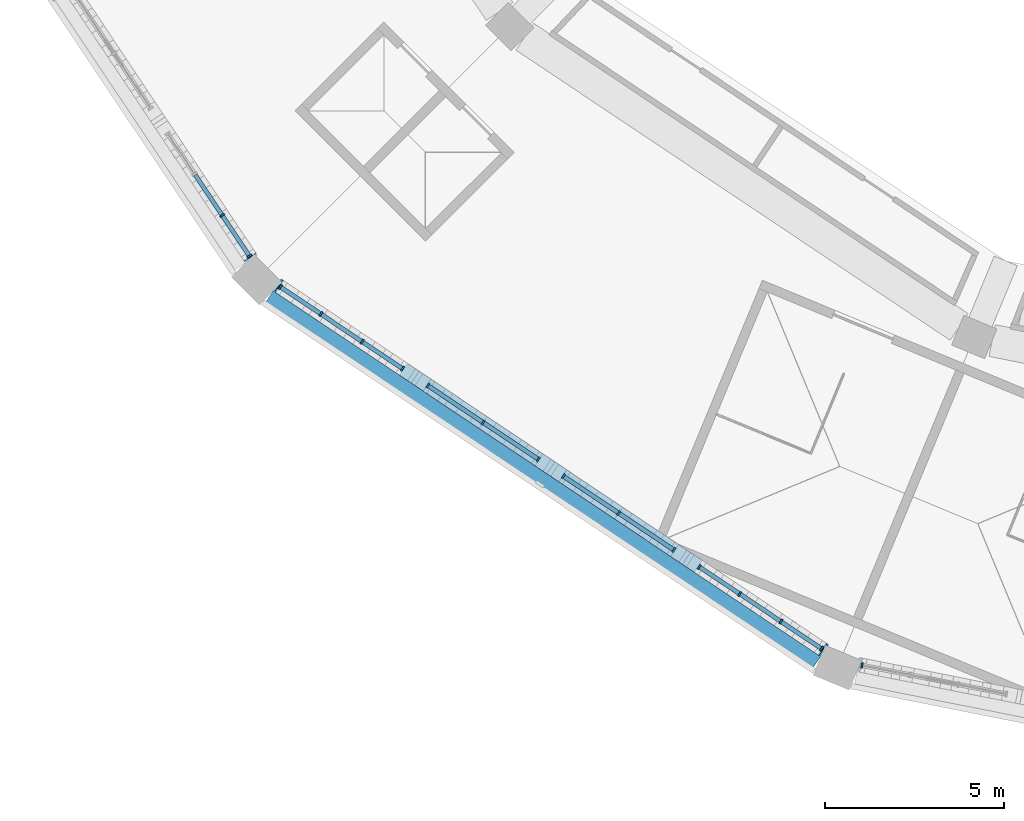
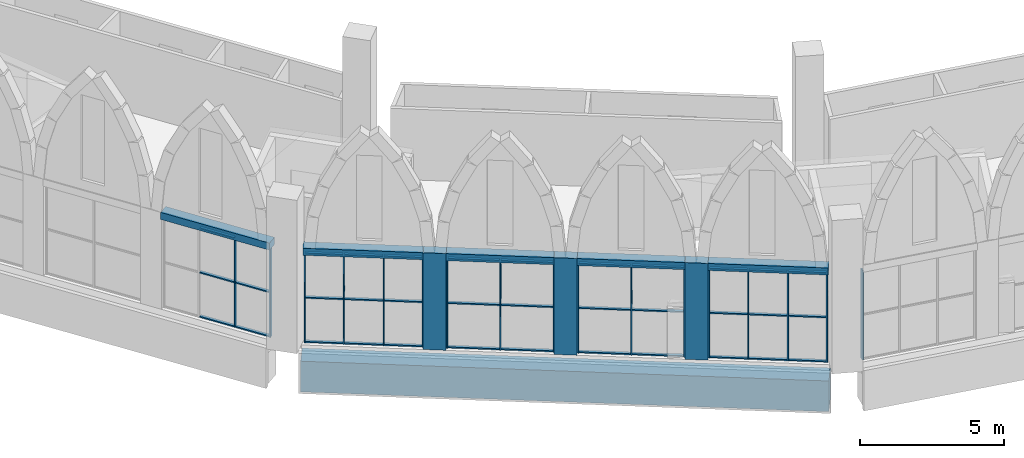
# One storey, part 2 of 130: 55 members, 6 beams, 6 elements without a shape of their own.
"""IFC4 building model written with IfcOpenShell, lengths in metres."""

from ifc_helpers import new_model, si_unit, direction, frame, origin, origin_2d, place, context, subcontext, project, spatial, rectangle, extrude, material, material_profile, profile_set, type_object, element, aggregate, save


model = new_model("IFC4")

# Units and contexts
model_context = context("Model", 3, precision=1e-05, world=origin(), true_north=direction((0.0, 1.0)))
body_context = subcontext(model_context, "Body", "Model", "MODEL_VIEW")
ifc_project = project(units=[si_unit("LENGTHUNIT", "METRE"), si_unit("AREAUNIT", "SQUARE_METRE"), si_unit("VOLUMEUNIT", "CUBIC_METRE"), si_unit("PLANEANGLEUNIT", "RADIAN"), si_unit("MASSUNIT", "GRAM", prefix="KILO")], contexts=[model_context])

# Site, building, storey
site_placement = place(None, origin())
site = spatial("IfcSite", under=ifc_project, at=site_placement, CompositionType="ELEMENT")
building_placement = place(site_placement, origin())
building = spatial("IfcBuilding", under=site, at=building_placement, Name="Ogive Plaza Stadium", CompositionType="ELEMENT")
storey_placement = place(building_placement, frame((0.0, 0.0, 22.5)))
storey = spatial("IfcBuildingStorey", under=building, at=storey_placement, Name="L05", CompositionType="ELEMENT", Elevation=22.5)

# Curtain wall, member
ifc_material_1 = material(Name="Bronze-anodised aluminium with laminated glass", Category="aluminium")
curtain_wall_type = type_object("IfcCurtainWallType", Name="Lancet curtain wall", PredefinedType="NOTDEFINED", material=ifc_material_1)
curtain_wall_1_placement = place(storey_placement, origin())
curtain_wall_1 = element("IfcCurtainWall", 1, at=curtain_wall_1_placement, inside=storey, type_object=curtain_wall_type, Name="CURTAIN WALL B17 L05", PredefinedType="NOTDEFINED")
ifc_material_2 = material(Name="Bronze-anodised aluminium", Category="aluminium")
ifc_material_profile_1 = material_profile(ifc_material_2, rectangle(XDim=0.14990234375, YDim=0.050048828125, at=origin_2d()), Name="AL 150x50")
ifc_profile_set_1 = profile_set([ifc_material_profile_1], Name="Bronze-anodised aluminium")
member_type_1 = type_object("IfcMemberType", Name="Curtain wall mullion 50x150", PredefinedType="MULLION", material=ifc_profile_set_1)
member_1_placement = place(storey_placement, frame((-52.442626953125, -98.627685546875, 0.0), z_axis=(0.0, 0.0, 1.0), x_axis=(-0.195090321965, -0.980785280413, 0.0)))
member_1 = element("IfcMember", 2, at=member_1_placement, type_object=member_type_1, Name="CW-B17-L05.4 mullion 4", PredefinedType="MULLION", context=body_context, shape_type="SweptSolid", body=[
    extrude(rectangle(XDim=0.14990234375, YDim=0.050048828125, at=origin_2d()), origin(), (0.0, 0.0, 1.0), 3.800048828125),
])
aggregate(curtain_wall_1, [member_1])

# Curtain wall, members
curtain_wall_2_placement = place(storey_placement, origin())
curtain_wall_2 = element("IfcCurtainWall", 3, at=curtain_wall_2_placement, inside=storey, type_object=curtain_wall_type, Name="CURTAIN WALL B18 L05", PredefinedType="NOTDEFINED")
member_2_placement = place(storey_placement, frame((-53.576171875, -98.157958984375, 0.0), z_axis=(0.0, 0.0, 1.0), x_axis=(-0.555570232889, -0.83146961239, 0.0)))
member_2 = element("IfcMember", 4, at=member_2_placement, type_object=member_type_1, Name="CW-B18-L05.1 mullion 1", PredefinedType="MULLION", context=body_context, shape_type="SweptSolid", body=[
    extrude(rectangle(XDim=0.14990234375, YDim=0.050048828125, at=origin_2d()), origin(), (0.0, 0.0, 1.0), 3.800048828125),
])
member_3_placement = place(storey_placement, frame((-54.707763671875, -97.402099609375, 0.0), z_axis=(0.0, 0.0, 1.0), x_axis=(-0.555570232889, -0.83146961239, 0.0)))
member_3 = element("IfcMember", 5, at=member_3_placement, type_object=member_type_1, Name="CW-B18-L05.1 mullion 2", PredefinedType="MULLION", context=body_context, shape_type="SweptSolid", body=[
    extrude(rectangle(XDim=0.14990234375, YDim=0.050048828125, at=origin_2d()), origin(), (0.0, 0.0, 1.0), 3.800048828125),
])
member_4_placement = place(storey_placement, frame((-55.85986328125, -96.63232421875, 0.0), z_axis=(0.0, 0.0, 1.0), x_axis=(-0.555570232889, -0.83146961239, 0.0)))
member_4 = element("IfcMember", 6, at=member_4_placement, type_object=member_type_1, Name="CW-B18-L05.1 mullion 3", PredefinedType="MULLION", context=body_context, shape_type="SweptSolid", body=[
    extrude(rectangle(XDim=0.14990234375, YDim=0.050048828125, at=origin_2d()), origin(), (0.0, 0.0, 1.0), 3.800048828125),
])
member_5_placement = place(storey_placement, frame((-56.9912109375, -95.876220703125, 0.0), z_axis=(0.0, 0.0, 1.0), x_axis=(-0.555570232889, -0.83146961239, 0.0)))
member_5 = element("IfcMember", 7, at=member_5_placement, type_object=member_type_1, Name="CW-B18-L05.1 mullion 4", PredefinedType="MULLION", context=body_context, shape_type="SweptSolid", body=[
    extrude(rectangle(XDim=0.14990234375, YDim=0.050048828125, at=origin_2d()), origin(), (0.0, 0.0, 1.0), 3.800048828125),
])

curtain_wall_3_placement = place(storey_placement, origin())
curtain_wall_3 = element("IfcCurtainWall", 8, at=curtain_wall_3_placement, inside=storey, type_object=curtain_wall_type, Name="CURTAIN WALL B18 L05", PredefinedType="NOTDEFINED")
member_6_placement = place(storey_placement, frame((-57.697998046875, -95.404052734375, 0.0), z_axis=(0.0, 0.0, 1.0), x_axis=(-0.555570233237, -0.831469612157, 0.0)))
member_6 = element("IfcMember", 9, at=member_6_placement, type_object=member_type_1, Name="CW-B18-L05.2 mullion 1", PredefinedType="MULLION", context=body_context, shape_type="SweptSolid", body=[
    extrude(rectangle(XDim=0.14990234375, YDim=0.050048828125, at=origin_2d()), origin(), (0.0, 0.0, 1.0), 3.800048828125),
])
member_7_placement = place(storey_placement, frame((-59.239013671875, -94.374267578125, 0.0), z_axis=(0.0, 0.0, 1.0), x_axis=(-0.555570233237, -0.831469612157, 0.0)))
member_7 = element("IfcMember", 10, at=member_7_placement, type_object=member_type_1, Name="CW-B18-L05.2 mullion 2", PredefinedType="MULLION", context=body_context, shape_type="SweptSolid", body=[
    extrude(rectangle(XDim=0.14990234375, YDim=0.050048828125, at=origin_2d()), origin(), (0.0, 0.0, 1.0), 3.800048828125),
])
member_8_placement = place(storey_placement, frame((-60.7802734375, -93.344482421875, 0.0), z_axis=(0.0, 0.0, 1.0), x_axis=(-0.555570233237, -0.831469612157, 0.0)))
member_8 = element("IfcMember", 11, at=member_8_placement, type_object=member_type_1, Name="CW-B18-L05.2 mullion 3", PredefinedType="MULLION", context=body_context, shape_type="SweptSolid", body=[
    extrude(rectangle(XDim=0.14990234375, YDim=0.050048828125, at=origin_2d()), origin(), (0.0, 0.0, 1.0), 3.800048828125),
])

curtain_wall_4_placement = place(storey_placement, origin())
curtain_wall_4 = element("IfcCurtainWall", 12, at=curtain_wall_4_placement, inside=storey, type_object=curtain_wall_type, Name="CURTAIN WALL B18 L05", PredefinedType="NOTDEFINED")
member_9_placement = place(storey_placement, frame((-61.487060546875, -92.872314453125, 0.0), z_axis=(0.0, 0.0, 1.0), x_axis=(-0.555570233121, -0.831469612235, 0.0)))
member_9 = element("IfcMember", 13, at=member_9_placement, type_object=member_type_1, Name="CW-B18-L05.3 mullion 1", PredefinedType="MULLION", context=body_context, shape_type="SweptSolid", body=[
    extrude(rectangle(XDim=0.14990234375, YDim=0.050048828125, at=origin_2d()), origin(), (0.0, 0.0, 1.0), 3.800048828125),
])
member_10_placement = place(storey_placement, frame((-63.028076171875, -91.842529296875, 0.0), z_axis=(0.0, 0.0, 1.0), x_axis=(-0.555570233121, -0.831469612235, 0.0)))
member_10 = element("IfcMember", 14, at=member_10_placement, type_object=member_type_1, Name="CW-B18-L05.3 mullion 2", PredefinedType="MULLION", context=body_context, shape_type="SweptSolid", body=[
    extrude(rectangle(XDim=0.14990234375, YDim=0.050048828125, at=origin_2d()), origin(), (0.0, 0.0, 1.0), 3.800048828125),
])
member_11_placement = place(storey_placement, frame((-64.5693359375, -90.812744140625, 0.0), z_axis=(0.0, 0.0, 1.0), x_axis=(-0.555570233121, -0.831469612235, 0.0)))
member_11 = element("IfcMember", 15, at=member_11_placement, type_object=member_type_1, Name="CW-B18-L05.3 mullion 3", PredefinedType="MULLION", context=body_context, shape_type="SweptSolid", body=[
    extrude(rectangle(XDim=0.14990234375, YDim=0.050048828125, at=origin_2d()), origin(), (0.0, 0.0, 1.0), 3.800048828125),
])

curtain_wall_5_placement = place(storey_placement, origin())
curtain_wall_5 = element("IfcCurtainWall", 16, at=curtain_wall_5_placement, inside=storey, type_object=curtain_wall_type, Name="CURTAIN WALL B18 L05", PredefinedType="NOTDEFINED")
member_12_placement = place(storey_placement, frame((-65.276123046875, -90.340576171875, 0.0), z_axis=(0.0, 0.0, 1.0), x_axis=(-0.555570233005, -0.831469612312, 0.0)))
member_12 = element("IfcMember", 17, at=member_12_placement, type_object=member_type_1, Name="CW-B18-L05.4 mullion 1", PredefinedType="MULLION", context=body_context, shape_type="SweptSolid", body=[
    extrude(rectangle(XDim=0.14990234375, YDim=0.050048828125, at=origin_2d()), origin(), (0.0, 0.0, 1.0), 3.800048828125),
])
member_13_placement = place(storey_placement, frame((-66.407470703125, -89.58447265625, 0.0), z_axis=(0.0, 0.0, 1.0), x_axis=(-0.555570233005, -0.831469612312, 0.0)))
member_13 = element("IfcMember", 18, at=member_13_placement, type_object=member_type_1, Name="CW-B18-L05.4 mullion 2", PredefinedType="MULLION", context=body_context, shape_type="SweptSolid", body=[
    extrude(rectangle(XDim=0.14990234375, YDim=0.050048828125, at=origin_2d()), origin(), (0.0, 0.0, 1.0), 3.800048828125),
])
member_14_placement = place(storey_placement, frame((-67.5595703125, -88.814697265625, 0.0), z_axis=(0.0, 0.0, 1.0), x_axis=(-0.555570233005, -0.831469612312, 0.0)))
member_14 = element("IfcMember", 19, at=member_14_placement, type_object=member_type_1, Name="CW-B18-L05.4 mullion 3", PredefinedType="MULLION", context=body_context, shape_type="SweptSolid", body=[
    extrude(rectangle(XDim=0.14990234375, YDim=0.050048828125, at=origin_2d()), origin(), (0.0, 0.0, 1.0), 3.800048828125),
])
member_15_placement = place(storey_placement, frame((-68.69091796875, -88.05859375, 0.0), z_axis=(0.0, 0.0, 1.0), x_axis=(-0.555570233005, -0.831469612312, 0.0)))
member_15 = element("IfcMember", 20, at=member_15_placement, type_object=member_type_1, Name="CW-B18-L05.4 mullion 4", PredefinedType="MULLION", context=body_context, shape_type="SweptSolid", body=[
    extrude(rectangle(XDim=0.14990234375, YDim=0.050048828125, at=origin_2d()), origin(), (0.0, 0.0, 1.0), 3.800048828125),
])

curtain_wall_6_placement = place(storey_placement, origin())
curtain_wall_6 = element("IfcCurtainWall", 21, at=curtain_wall_6_placement, inside=storey, type_object=curtain_wall_type, Name="CURTAIN WALL B19 L05", PredefinedType="NOTDEFINED")
member_16_placement = place(storey_placement, frame((-69.55859375, -87.19091796875, 0.0), z_axis=(0.0, 0.0, 1.0), x_axis=(-0.831469612312, -0.555570233005, 0.0)))
member_16 = element("IfcMember", 22, at=member_16_placement, type_object=member_type_1, Name="CW-B19-L05.1 mullion 1", PredefinedType="MULLION", context=body_context, shape_type="SweptSolid", body=[
    extrude(rectangle(XDim=0.14990234375, YDim=0.050048828125, at=origin_2d()), origin(), (0.0, 0.0, 1.0), 3.800048828125),
])
member_17_placement = place(storey_placement, frame((-70.314697265625, -86.0595703125, 0.0), z_axis=(0.0, 0.0, 1.0), x_axis=(-0.831469612312, -0.555570233005, 0.0)))
member_17 = element("IfcMember", 23, at=member_17_placement, type_object=member_type_1, Name="CW-B19-L05.1 mullion 2", PredefinedType="MULLION", context=body_context, shape_type="SweptSolid", body=[
    extrude(rectangle(XDim=0.14990234375, YDim=0.050048828125, at=origin_2d()), origin(), (0.0, 0.0, 1.0), 3.800048828125),
])

# Member
ifc_material_3 = material(Name="Bronze-anodised aluminium", Category="aluminium")
ifc_material_profile_2 = material_profile(ifc_material_3, rectangle(XDim=0.1201171875, YDim=0.050048828125, at=origin_2d()), Name="AL 120x50")
ifc_profile_set_2 = profile_set([ifc_material_profile_2], Name="Bronze-anodised aluminium")
member_type_2 = type_object("IfcMemberType", Name="Curtain wall transom 50x120", PredefinedType="USERDEFINED", material=ifc_profile_set_2)
member_18_placement = place(storey_placement, frame((-53.59716796875, -98.14404296875, 0.02490234375), z_axis=(-0.831476605676, 0.555559766553, 0.0), x_axis=(-0.555559766553, -0.831476605676, 0.0)))
member_18 = element("IfcMember", 24, at=member_18_placement, type_object=member_type_2, Name="CW-B18-L05.1 transom 1.1", ObjectType="TRANSOM", PredefinedType="USERDEFINED", context=body_context, shape_type="SweptSolid", body=[
    extrude(rectangle(XDim=0.1201171875, YDim=0.050048828125, at=origin_2d()), origin(), (0.0, 0.0, 1.0), 1.310546875),
])

member_19_placement = place(storey_placement, frame((-53.59716796875, -98.14404296875, 1.89990234375), z_axis=(-0.831476605676, 0.555559766553, 0.0), x_axis=(-0.555559766553, -0.831476605676, 0.0)))
member_19 = element("IfcMember", 25, at=member_19_placement, type_object=member_type_2, Name="CW-B18-L05.1 transom 1.2", ObjectType="TRANSOM", PredefinedType="USERDEFINED", context=body_context, shape_type="SweptSolid", body=[
    extrude(rectangle(XDim=0.1201171875, YDim=0.050048828125, at=origin_2d()), origin(), (0.0, 0.0, 1.0), 1.310546875),
])

member_20_placement = place(storey_placement, frame((-53.59716796875, -98.14404296875, 3.77490234375), z_axis=(-0.831476605676, 0.555559766553, 0.0), x_axis=(-0.555559766553, -0.831476605676, 0.0)))
member_20 = element("IfcMember", 26, at=member_20_placement, type_object=member_type_2, Name="CW-B18-L05.1 transom 1.3", ObjectType="TRANSOM", PredefinedType="USERDEFINED", context=body_context, shape_type="SweptSolid", body=[
    extrude(rectangle(XDim=0.1201171875, YDim=0.050048828125, at=origin_2d()), origin(), (0.0, 0.0, 1.0), 1.310546875),
])

member_21_placement = place(storey_placement, frame((-54.728515625, -97.38818359375, 0.02490234375), z_axis=(-0.831431163002, 0.555627772154, 0.0), x_axis=(-0.555627772154, -0.831431163002, 0.0)))
member_21 = element("IfcMember", 27, at=member_21_placement, type_object=member_type_2, Name="CW-B18-L05.1 transom 2.1", ObjectType="TRANSOM", PredefinedType="USERDEFINED", context=body_context, shape_type="SweptSolid", body=[
    extrude(rectangle(XDim=0.1201171875, YDim=0.050048828125, at=origin_2d()), origin(), (0.0, 0.0, 1.0), 1.335693359375),
])

member_22_placement = place(storey_placement, frame((-54.728515625, -97.38818359375, 1.89990234375), z_axis=(-0.831431163002, 0.555627772154, 0.0), x_axis=(-0.555627772154, -0.831431163002, 0.0)))
member_22 = element("IfcMember", 28, at=member_22_placement, type_object=member_type_2, Name="CW-B18-L05.1 transom 2.2", ObjectType="TRANSOM", PredefinedType="USERDEFINED", context=body_context, shape_type="SweptSolid", body=[
    extrude(rectangle(XDim=0.1201171875, YDim=0.050048828125, at=origin_2d()), origin(), (0.0, 0.0, 1.0), 1.335693359375),
])

member_23_placement = place(storey_placement, frame((-54.728515625, -97.38818359375, 3.77490234375), z_axis=(-0.831431163002, 0.555627772154, 0.0), x_axis=(-0.555627772154, -0.831431163002, 0.0)))
member_23 = element("IfcMember", 29, at=member_23_placement, type_object=member_type_2, Name="CW-B18-L05.1 transom 2.3", ObjectType="TRANSOM", PredefinedType="USERDEFINED", context=body_context, shape_type="SweptSolid", body=[
    extrude(rectangle(XDim=0.1201171875, YDim=0.050048828125, at=origin_2d()), origin(), (0.0, 0.0, 1.0), 1.335693359375),
])

member_24_placement = place(storey_placement, frame((-55.880615234375, -96.618408203125, 0.02490234375), z_axis=(-0.83144805367, 0.555602496438, 0.0), x_axis=(-0.555602496438, -0.83144805367, 0.0)))
member_24 = element("IfcMember", 30, at=member_24_placement, type_object=member_type_2, Name="CW-B18-L05.1 transom 3.1", ObjectType="TRANSOM", PredefinedType="USERDEFINED", context=body_context, shape_type="SweptSolid", body=[
    extrude(rectangle(XDim=0.1201171875, YDim=0.050048828125, at=origin_2d()), origin(), (0.0, 0.0, 1.0), 1.310791015625),
])

member_25_placement = place(storey_placement, frame((-55.880615234375, -96.618408203125, 1.89990234375), z_axis=(-0.83144805367, 0.555602496438, 0.0), x_axis=(-0.555602496438, -0.83144805367, 0.0)))
member_25 = element("IfcMember", 31, at=member_25_placement, type_object=member_type_2, Name="CW-B18-L05.1 transom 3.2", ObjectType="TRANSOM", PredefinedType="USERDEFINED", context=body_context, shape_type="SweptSolid", body=[
    extrude(rectangle(XDim=0.1201171875, YDim=0.050048828125, at=origin_2d()), origin(), (0.0, 0.0, 1.0), 1.310791015625),
])

member_26_placement = place(storey_placement, frame((-55.880615234375, -96.618408203125, 3.77490234375), z_axis=(-0.83144805367, 0.555602496438, 0.0), x_axis=(-0.555602496438, -0.83144805367, 0.0)))
member_26 = element("IfcMember", 32, at=member_26_placement, type_object=member_type_2, Name="CW-B18-L05.1 transom 3.3", ObjectType="TRANSOM", PredefinedType="USERDEFINED", context=body_context, shape_type="SweptSolid", body=[
    extrude(rectangle(XDim=0.1201171875, YDim=0.050048828125, at=origin_2d()), origin(), (0.0, 0.0, 1.0), 1.310791015625),
])

aggregate(curtain_wall_2, [member_2, member_3, member_4, member_5, member_18, member_19, member_20, member_21, member_22, member_23, member_24, member_25, member_26])

member_27_placement = place(storey_placement, frame((-57.71875, -95.39013671875, 0.02490234375), z_axis=(-0.831466685303, 0.555574613559, 0.0), x_axis=(-0.555574613559, -0.831466685303, 0.0)))
member_27 = element("IfcMember", 33, at=member_27_placement, type_object=member_type_2, Name="CW-B18-L05.2 transom 1.1", ObjectType="TRANSOM", PredefinedType="USERDEFINED", context=body_context, shape_type="SweptSolid", body=[
    extrude(rectangle(XDim=0.1201171875, YDim=0.050048828125, at=origin_2d()), origin(), (0.0, 0.0, 1.0), 1.803466796875),
])

member_28_placement = place(storey_placement, frame((-57.71875, -95.39013671875, 1.89990234375), z_axis=(-0.831466685303, 0.555574613559, 0.0), x_axis=(-0.555574613559, -0.831466685303, 0.0)))
member_28 = element("IfcMember", 34, at=member_28_placement, type_object=member_type_2, Name="CW-B18-L05.2 transom 1.2", ObjectType="TRANSOM", PredefinedType="USERDEFINED", context=body_context, shape_type="SweptSolid", body=[
    extrude(rectangle(XDim=0.1201171875, YDim=0.050048828125, at=origin_2d()), origin(), (0.0, 0.0, 1.0), 1.803466796875),
])

member_29_placement = place(storey_placement, frame((-57.71875, -95.39013671875, 3.77490234375), z_axis=(-0.831466685303, 0.555574613559, 0.0), x_axis=(-0.555574613559, -0.831466685303, 0.0)))
member_29 = element("IfcMember", 35, at=member_29_placement, type_object=member_type_2, Name="CW-B18-L05.2 transom 1.3", ObjectType="TRANSOM", PredefinedType="USERDEFINED", context=body_context, shape_type="SweptSolid", body=[
    extrude(rectangle(XDim=0.1201171875, YDim=0.050048828125, at=origin_2d()), origin(), (0.0, 0.0, 1.0), 1.803466796875),
])

member_30_placement = place(storey_placement, frame((-59.260009765625, -94.3603515625, 0.02490234375), z_axis=(-0.831466685303, 0.555574613559, 0.0), x_axis=(-0.555574613559, -0.831466685303, 0.0)))
member_30 = element("IfcMember", 36, at=member_30_placement, type_object=member_type_2, Name="CW-B18-L05.2 transom 2.1", ObjectType="TRANSOM", PredefinedType="USERDEFINED", context=body_context, shape_type="SweptSolid", body=[
    extrude(rectangle(XDim=0.1201171875, YDim=0.050048828125, at=origin_2d()), origin(), (0.0, 0.0, 1.0), 1.803466796875),
])

member_31_placement = place(storey_placement, frame((-59.260009765625, -94.3603515625, 1.89990234375), z_axis=(-0.831466685303, 0.555574613559, 0.0), x_axis=(-0.555574613559, -0.831466685303, 0.0)))
member_31 = element("IfcMember", 37, at=member_31_placement, type_object=member_type_2, Name="CW-B18-L05.2 transom 2.2", ObjectType="TRANSOM", PredefinedType="USERDEFINED", context=body_context, shape_type="SweptSolid", body=[
    extrude(rectangle(XDim=0.1201171875, YDim=0.050048828125, at=origin_2d()), origin(), (0.0, 0.0, 1.0), 1.803466796875),
])

member_32_placement = place(storey_placement, frame((-59.260009765625, -94.3603515625, 3.77490234375), z_axis=(-0.831466685303, 0.555574613559, 0.0), x_axis=(-0.555574613559, -0.831466685303, 0.0)))
member_32 = element("IfcMember", 38, at=member_32_placement, type_object=member_type_2, Name="CW-B18-L05.2 transom 2.3", ObjectType="TRANSOM", PredefinedType="USERDEFINED", context=body_context, shape_type="SweptSolid", body=[
    extrude(rectangle(XDim=0.1201171875, YDim=0.050048828125, at=origin_2d()), origin(), (0.0, 0.0, 1.0), 1.803466796875),
])

aggregate(curtain_wall_3, [member_6, member_7, member_8, member_27, member_28, member_29, member_30, member_31, member_32])

member_33_placement = place(storey_placement, frame((-61.5078125, -92.8583984375, 0.02490234375), z_axis=(-0.831466685303, 0.555574613559, 0.0), x_axis=(-0.555574613559, -0.831466685303, 0.0)))
member_33 = element("IfcMember", 39, at=member_33_placement, type_object=member_type_2, Name="CW-B18-L05.3 transom 1.1", ObjectType="TRANSOM", PredefinedType="USERDEFINED", context=body_context, shape_type="SweptSolid", body=[
    extrude(rectangle(XDim=0.1201171875, YDim=0.050048828125, at=origin_2d()), origin(), (0.0, 0.0, 1.0), 1.803466796875),
])

member_34_placement = place(storey_placement, frame((-61.5078125, -92.8583984375, 1.89990234375), z_axis=(-0.831466685303, 0.555574613559, 0.0), x_axis=(-0.555574613559, -0.831466685303, 0.0)))
member_34 = element("IfcMember", 40, at=member_34_placement, type_object=member_type_2, Name="CW-B18-L05.3 transom 1.2", ObjectType="TRANSOM", PredefinedType="USERDEFINED", context=body_context, shape_type="SweptSolid", body=[
    extrude(rectangle(XDim=0.1201171875, YDim=0.050048828125, at=origin_2d()), origin(), (0.0, 0.0, 1.0), 1.803466796875),
])

member_35_placement = place(storey_placement, frame((-61.5078125, -92.8583984375, 3.77490234375), z_axis=(-0.831466685303, 0.555574613559, 0.0), x_axis=(-0.555574613559, -0.831466685303, 0.0)))
member_35 = element("IfcMember", 41, at=member_35_placement, type_object=member_type_2, Name="CW-B18-L05.3 transom 1.3", ObjectType="TRANSOM", PredefinedType="USERDEFINED", context=body_context, shape_type="SweptSolid", body=[
    extrude(rectangle(XDim=0.1201171875, YDim=0.050048828125, at=origin_2d()), origin(), (0.0, 0.0, 1.0), 1.803466796875),
])

member_36_placement = place(storey_placement, frame((-63.049072265625, -91.82861328125, 0.02490234375), z_axis=(-0.831466685303, 0.555574613559, 0.0), x_axis=(-0.555574613559, -0.831466685303, 0.0)))
member_36 = element("IfcMember", 42, at=member_36_placement, type_object=member_type_2, Name="CW-B18-L05.3 transom 2.1", ObjectType="TRANSOM", PredefinedType="USERDEFINED", context=body_context, shape_type="SweptSolid", body=[
    extrude(rectangle(XDim=0.1201171875, YDim=0.050048828125, at=origin_2d()), origin(), (0.0, 0.0, 1.0), 1.803466796875),
])

member_37_placement = place(storey_placement, frame((-63.049072265625, -91.82861328125, 1.89990234375), z_axis=(-0.831466685303, 0.555574613559, 0.0), x_axis=(-0.555574613559, -0.831466685303, 0.0)))
member_37 = element("IfcMember", 43, at=member_37_placement, type_object=member_type_2, Name="CW-B18-L05.3 transom 2.2", ObjectType="TRANSOM", PredefinedType="USERDEFINED", context=body_context, shape_type="SweptSolid", body=[
    extrude(rectangle(XDim=0.1201171875, YDim=0.050048828125, at=origin_2d()), origin(), (0.0, 0.0, 1.0), 1.803466796875),
])

member_38_placement = place(storey_placement, frame((-63.049072265625, -91.82861328125, 3.77490234375), z_axis=(-0.831466685303, 0.555574613559, 0.0), x_axis=(-0.555574613559, -0.831466685303, 0.0)))
member_38 = element("IfcMember", 44, at=member_38_placement, type_object=member_type_2, Name="CW-B18-L05.3 transom 2.3", ObjectType="TRANSOM", PredefinedType="USERDEFINED", context=body_context, shape_type="SweptSolid", body=[
    extrude(rectangle(XDim=0.1201171875, YDim=0.050048828125, at=origin_2d()), origin(), (0.0, 0.0, 1.0), 1.803466796875),
])

aggregate(curtain_wall_4, [member_9, member_10, member_11, member_33, member_34, member_35, member_36, member_37, member_38])

member_39_placement = place(storey_placement, frame((-65.296875, -90.32666015625, 0.02490234375), z_axis=(-0.83144805367, 0.555602496438, 0.0), x_axis=(-0.555602496438, -0.83144805367, 0.0)))
member_39 = element("IfcMember", 45, at=member_39_placement, type_object=member_type_2, Name="CW-B18-L05.4 transom 1.1", ObjectType="TRANSOM", PredefinedType="USERDEFINED", context=body_context, shape_type="SweptSolid", body=[
    extrude(rectangle(XDim=0.1201171875, YDim=0.050048828125, at=origin_2d()), origin(), (0.0, 0.0, 1.0), 1.310791015625),
])

member_40_placement = place(storey_placement, frame((-65.296875, -90.32666015625, 1.89990234375), z_axis=(-0.83144805367, 0.555602496438, 0.0), x_axis=(-0.555602496438, -0.83144805367, 0.0)))
member_40 = element("IfcMember", 46, at=member_40_placement, type_object=member_type_2, Name="CW-B18-L05.4 transom 1.2", ObjectType="TRANSOM", PredefinedType="USERDEFINED", context=body_context, shape_type="SweptSolid", body=[
    extrude(rectangle(XDim=0.1201171875, YDim=0.050048828125, at=origin_2d()), origin(), (0.0, 0.0, 1.0), 1.310791015625),
])

member_41_placement = place(storey_placement, frame((-65.296875, -90.32666015625, 3.77490234375), z_axis=(-0.83144805367, 0.555602496438, 0.0), x_axis=(-0.555602496438, -0.83144805367, 0.0)))
member_41 = element("IfcMember", 47, at=member_41_placement, type_object=member_type_2, Name="CW-B18-L05.4 transom 1.3", ObjectType="TRANSOM", PredefinedType="USERDEFINED", context=body_context, shape_type="SweptSolid", body=[
    extrude(rectangle(XDim=0.1201171875, YDim=0.050048828125, at=origin_2d()), origin(), (0.0, 0.0, 1.0), 1.310791015625),
])

member_42_placement = place(storey_placement, frame((-66.42822265625, -89.570556640625, 0.02490234375), z_axis=(-0.831515596605, 0.555501406481, 0.0), x_axis=(-0.555501406481, -0.831515596605, 0.0)))
member_42 = element("IfcMember", 48, at=member_42_placement, type_object=member_type_2, Name="CW-B18-L05.4 transom 2.1", ObjectType="TRANSOM", PredefinedType="USERDEFINED", context=body_context, shape_type="SweptSolid", body=[
    extrude(rectangle(XDim=0.1201171875, YDim=0.050048828125, at=origin_2d()), origin(), (0.0, 0.0, 1.0), 1.335693359375),
])

member_43_placement = place(storey_placement, frame((-66.42822265625, -89.570556640625, 1.89990234375), z_axis=(-0.831515596605, 0.555501406481, 0.0), x_axis=(-0.555501406481, -0.831515596605, 0.0)))
member_43 = element("IfcMember", 49, at=member_43_placement, type_object=member_type_2, Name="CW-B18-L05.4 transom 2.2", ObjectType="TRANSOM", PredefinedType="USERDEFINED", context=body_context, shape_type="SweptSolid", body=[
    extrude(rectangle(XDim=0.1201171875, YDim=0.050048828125, at=origin_2d()), origin(), (0.0, 0.0, 1.0), 1.335693359375),
])

member_44_placement = place(storey_placement, frame((-66.42822265625, -89.570556640625, 3.77490234375), z_axis=(-0.831515596605, 0.555501406481, 0.0), x_axis=(-0.555501406481, -0.831515596605, 0.0)))
member_44 = element("IfcMember", 50, at=member_44_placement, type_object=member_type_2, Name="CW-B18-L05.4 transom 2.3", ObjectType="TRANSOM", PredefinedType="USERDEFINED", context=body_context, shape_type="SweptSolid", body=[
    extrude(rectangle(XDim=0.1201171875, YDim=0.050048828125, at=origin_2d()), origin(), (0.0, 0.0, 1.0), 1.335693359375),
])

member_45_placement = place(storey_placement, frame((-67.580322265625, -88.80078125, 0.02490234375), z_axis=(-0.83144805367, 0.555602496438, 0.0), x_axis=(-0.555602496438, -0.83144805367, 0.0)))
member_45 = element("IfcMember", 51, at=member_45_placement, type_object=member_type_2, Name="CW-B18-L05.4 transom 3.1", ObjectType="TRANSOM", PredefinedType="USERDEFINED", context=body_context, shape_type="SweptSolid", body=[
    extrude(rectangle(XDim=0.1201171875, YDim=0.050048828125, at=origin_2d()), origin(), (0.0, 0.0, 1.0), 1.310791015625),
])

member_46_placement = place(storey_placement, frame((-67.580322265625, -88.80078125, 1.89990234375), z_axis=(-0.83144805367, 0.555602496438, 0.0), x_axis=(-0.555602496438, -0.83144805367, 0.0)))
member_46 = element("IfcMember", 52, at=member_46_placement, type_object=member_type_2, Name="CW-B18-L05.4 transom 3.2", ObjectType="TRANSOM", PredefinedType="USERDEFINED", context=body_context, shape_type="SweptSolid", body=[
    extrude(rectangle(XDim=0.1201171875, YDim=0.050048828125, at=origin_2d()), origin(), (0.0, 0.0, 1.0), 1.310791015625),
])

member_47_placement = place(storey_placement, frame((-67.580322265625, -88.80078125, 3.77490234375), z_axis=(-0.83144805367, 0.555602496438, 0.0), x_axis=(-0.555602496438, -0.83144805367, 0.0)))
member_47 = element("IfcMember", 53, at=member_47_placement, type_object=member_type_2, Name="CW-B18-L05.4 transom 3.3", ObjectType="TRANSOM", PredefinedType="USERDEFINED", context=body_context, shape_type="SweptSolid", body=[
    extrude(rectangle(XDim=0.1201171875, YDim=0.050048828125, at=origin_2d()), origin(), (0.0, 0.0, 1.0), 1.310791015625),
])

aggregate(curtain_wall_5, [member_12, member_13, member_14, member_15, member_39, member_40, member_41, member_42, member_43, member_44, member_45, member_46, member_47])

member_48_placement = place(storey_placement, frame((-69.572509765625, -87.170166015625, 0.02490234375), z_axis=(-0.555602496438, 0.83144805367, 0.0), x_axis=(-0.83144805367, -0.555602496438, 0.0)))
member_48 = element("IfcMember", 54, at=member_48_placement, type_object=member_type_2, Name="CW-B19-L05.1 transom 1.1", ObjectType="TRANSOM", PredefinedType="USERDEFINED", context=body_context, shape_type="SweptSolid", body=[
    extrude(rectangle(XDim=0.1201171875, YDim=0.050048828125, at=origin_2d()), origin(), (0.0, 0.0, 1.0), 1.310791015625),
])

member_49_placement = place(storey_placement, frame((-69.572509765625, -87.170166015625, 1.89990234375), z_axis=(-0.555602496438, 0.83144805367, 0.0), x_axis=(-0.83144805367, -0.555602496438, 0.0)))
member_49 = element("IfcMember", 55, at=member_49_placement, type_object=member_type_2, Name="CW-B19-L05.1 transom 1.2", ObjectType="TRANSOM", PredefinedType="USERDEFINED", context=body_context, shape_type="SweptSolid", body=[
    extrude(rectangle(XDim=0.1201171875, YDim=0.050048828125, at=origin_2d()), origin(), (0.0, 0.0, 1.0), 1.310791015625),
])

member_50_placement = place(storey_placement, frame((-70.32861328125, -86.038818359375, 0.02490234375), z_axis=(-0.555501406481, 0.831515596605, 0.0), x_axis=(-0.831515596605, -0.555501406481, 0.0)))
member_50 = element("IfcMember", 56, at=member_50_placement, type_object=member_type_2, Name="CW-B19-L05.1 transom 2.1", ObjectType="TRANSOM", PredefinedType="USERDEFINED", context=body_context, shape_type="SweptSolid", body=[
    extrude(rectangle(XDim=0.1201171875, YDim=0.050048828125, at=origin_2d()), origin(), (0.0, 0.0, 1.0), 1.335693359375),
])

member_51_placement = place(storey_placement, frame((-70.32861328125, -86.038818359375, 1.89990234375), z_axis=(-0.555501406481, 0.831515596605, 0.0), x_axis=(-0.831515596605, -0.555501406481, 0.0)))
member_51 = element("IfcMember", 57, at=member_51_placement, type_object=member_type_2, Name="CW-B19-L05.1 transom 2.2", ObjectType="TRANSOM", PredefinedType="USERDEFINED", context=body_context, shape_type="SweptSolid", body=[
    extrude(rectangle(XDim=0.1201171875, YDim=0.050048828125, at=origin_2d()), origin(), (0.0, 0.0, 1.0), 1.335693359375),
])

member_52_placement = place(storey_placement, frame((-70.32861328125, -86.038818359375, 3.77490234375), z_axis=(-0.555501406481, 0.831515596605, 0.0), x_axis=(-0.831515596605, -0.555501406481, 0.0)))
member_52 = element("IfcMember", 58, at=member_52_placement, type_object=member_type_2, Name="CW-B19-L05.1 transom 2.3", ObjectType="TRANSOM", PredefinedType="USERDEFINED", context=body_context, shape_type="SweptSolid", body=[
    extrude(rectangle(XDim=0.1201171875, YDim=0.050048828125, at=origin_2d()), origin(), (0.0, 0.0, 1.0), 1.335693359375),
])

aggregate(curtain_wall_6, [member_16, member_17, member_48, member_49, member_50, member_51, member_52])

# Members
ifc_material_4 = material(Name="Concrete C45/55 precast", Category="concrete")
ifc_material_profile_3 = material_profile(ifc_material_4, rectangle(XDim=0.39990234375, YDim=0.800048828125, at=origin_2d()), Name="RC 400x800")
ifc_profile_set_3 = profile_set([ifc_material_profile_3], Name="Concrete C45/55 precast")
member_type_3 = type_object("IfcMemberType", Name="Precast colonette 800x400", PredefinedType="POST", material=ifc_profile_set_3)
for number, where, z_axis, x_axis, name in (
    (59, (-57.344482421875, -95.64013671875, 0.0), (0.0, 0.0, 1.0), (-0.55557023302, -0.831469612303, 0.0), "COLONETTE B18 1"),
    (60, (-61.133544921875, -93.1083984375, 0.0), (0.0, 0.0, 1.0), (-0.55557023302, -0.831469612303, 0.0), "COLONETTE B18 2"),
    (61, (-64.922607421875, -90.57666015625, 0.0), (0.0, 0.0, 1.0), (-0.55557023302, -0.831469612303, 0.0), "COLONETTE B18 3"),
):
    element("IfcMember", number, at=place(storey_placement, frame(where, z_axis=z_axis, x_axis=x_axis)), inside=storey, type_object=member_type_3, Name=name, PredefinedType="POST", context=body_context, shape_type="SweptSolid", body=[
        extrude(rectangle(XDim=0.39990234375, YDim=0.800048828125, at=origin_2d()), origin(), (0.0, 0.0, 1.0), 4.10009765625),
    ])

# Beams
ifc_material_5 = material(Name="Concrete C45/55 precast", Category="concrete")
ifc_material_profile_4 = material_profile(ifc_material_5, rectangle(XDim=0.39990234375, YDim=0.300048828125, at=origin_2d()), Name="RC 400x300")
ifc_profile_set_4 = profile_set([ifc_material_profile_4], Name="Concrete C45/55 precast")
beam_type_1 = type_object("IfcBeamType", Name="Precast tympanum lintel 400x300", PredefinedType="BEAM", material=ifc_profile_set_4)
beam_1_placement = place(storey_placement, frame((-53.530517578125, -98.1884765625, 3.949951171875), z_axis=(-0.831479817514, 0.555554959537, 0.0), x_axis=(-0.555554959537, -0.831479817514, 0.0)))
element("IfcBeam", 62, at=beam_1_placement, inside=storey, type_object=beam_type_1, Name="TYMPANUM LINTEL B18 1", PredefinedType="BEAM", context=body_context, shape_type="SweptSolid", body=[
    extrude(rectangle(XDim=0.39990234375, YDim=0.300048828125, at=origin_2d()), origin(), (0.0, 0.0, 1.0), 4.217041015625),
])
beam_2_placement = place(storey_placement, frame((-57.652099609375, -95.4345703125, 3.949951171875), z_axis=(-0.831479134531, 0.555555981733, 0.0), x_axis=(-0.555555981733, -0.831479134531, 0.0)))
element("IfcBeam", 63, at=beam_2_placement, inside=storey, type_object=beam_type_1, Name="TYMPANUM LINTEL B18 2", PredefinedType="BEAM", context=body_context, shape_type="SweptSolid", body=[
    extrude(rectangle(XDim=0.39990234375, YDim=0.300048828125, at=origin_2d()), origin(), (0.0, 0.0, 1.0), 3.817138671875),
])
beam_3_placement = place(storey_placement, frame((-61.44140625, -92.90283203125, 3.949951171875), z_axis=(-0.831459392206, 0.555585528171, 0.0), x_axis=(-0.555585528171, -0.831459392206, 0.0)))
element("IfcBeam", 64, at=beam_3_placement, inside=storey, type_object=beam_type_1, Name="TYMPANUM LINTEL B18 3", PredefinedType="BEAM", context=body_context, shape_type="SweptSolid", body=[
    extrude(rectangle(XDim=0.39990234375, YDim=0.300048828125, at=origin_2d()), origin(), (0.0, 0.0, 1.0), 3.81689453125),
])
for number, where, z_axis, x_axis, name in (
    (65, (-65.23046875, -90.37109375, 3.949951171875), (-0.831453074078, 0.555594983424, 0.0), (-0.555594983424, -0.831453074078, 0.0), "TYMPANUM LINTEL B18 4"),
    (66, (-69.528076171875, -87.23681640625, 3.949951171875), (-0.555594983424, 0.831453074078, 0.0), (-0.831453074078, -0.555594983424, 0.0), "TYMPANUM LINTEL B19 1"),
):
    element("IfcBeam", number, at=place(storey_placement, frame(where, z_axis=z_axis, x_axis=x_axis)), inside=storey, type_object=beam_type_1, Name=name, PredefinedType="BEAM", context=body_context, shape_type="SweptSolid", body=[
        extrude(rectangle(XDim=0.39990234375, YDim=0.300048828125, at=origin_2d()), origin(), (0.0, 0.0, 1.0), 4.217041015625),
    ])
ifc_material_6 = material(Name="Concrete C40/50", Category="concrete")
ifc_material_profile_5 = material_profile(ifc_material_6, rectangle(XDim=0.800048828125, YDim=1.300048828125, at=origin_2d()), Name="RC 800x1300")
ifc_profile_set_5 = profile_set([ifc_material_profile_5], Name="Concrete C40/50")
beam_type_2 = type_object("IfcBeamType", Name="RC spandrel beam 800x1300", PredefinedType="SPANDREL", material=ifc_profile_set_5)
beam_4_placement = place(storey_placement, frame((-53.600341796875, -98.38232421875, -1.06005859375), z_axis=(-0.831477897484, 0.555557833169, 0.0), x_axis=(-0.555557833169, -0.831477897484, 0.0)))
element("IfcBeam", 67, at=beam_4_placement, inside=storey, type_object=beam_type_2, Name="Ring beam F5 L05 B18", PredefinedType="SPANDREL", context=body_context, shape_type="SweptSolid", body=[
    extrude(rectangle(XDim=0.800048828125, YDim=1.300048828125, at=origin_2d()), origin(), (0.0, 0.0, 1.0), 18.387451171875),
])

save(model, "model.ifc")
